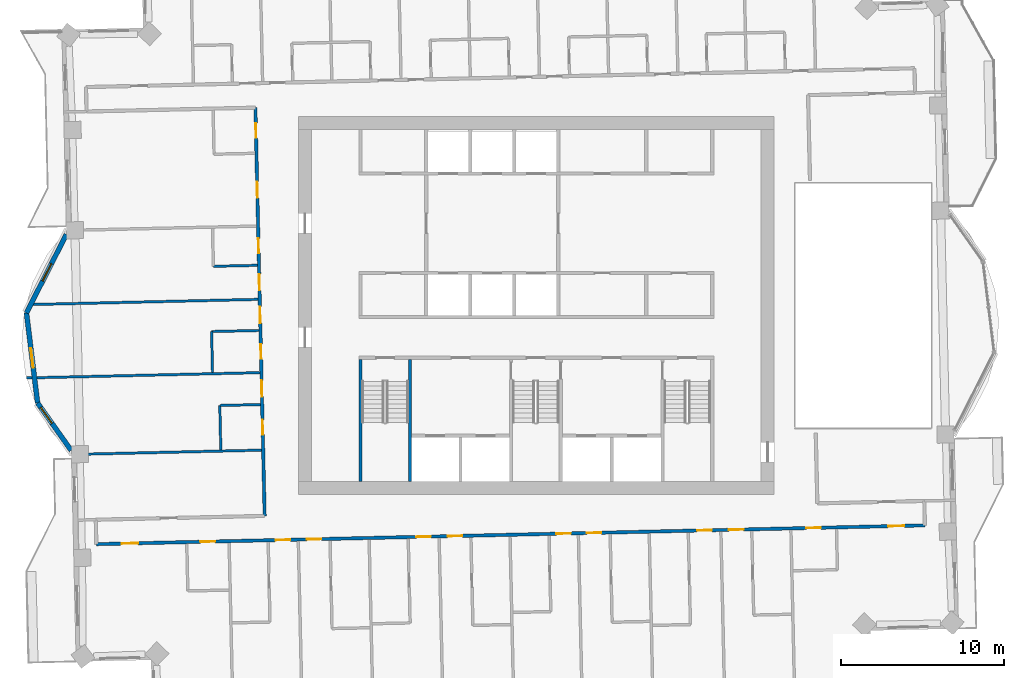
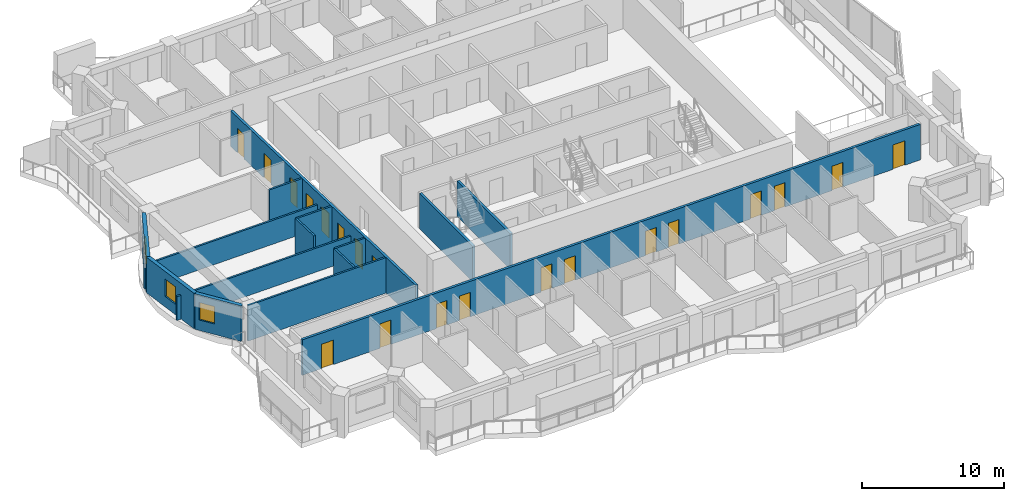
# One storey, part 7 of 17: 20 doors, 15 walls, 3 windows, 23 openings.
"""IFC4 building model written with IfcOpenShell, lengths in metres."""

from ifc_helpers import new_model, si_unit, direction, frame, frame_2d, origin, place, context, subcontext, project, spatial, rectangle, extrude, material, layer, layer_set, type_object, element, fill, save


model = new_model("IFC4")

# Units and contexts
model_context = context("Model", 3, precision=1e-05, world=origin(), true_north=direction((0.0, 1.0)))
body_context = subcontext(model_context, "Body", "Model", "MODEL_VIEW")
ifc_project = project(units=[si_unit("LENGTHUNIT", "METRE"), si_unit("AREAUNIT", "SQUARE_METRE"), si_unit("VOLUMEUNIT", "CUBIC_METRE"), si_unit("PLANEANGLEUNIT", "RADIAN"), si_unit("MASSUNIT", "GRAM", prefix="KILO")], contexts=[model_context])

# Site, building, storey
site_placement = place(None, origin())
site = spatial("IfcSite", under=ifc_project, at=site_placement, CompositionType="ELEMENT")
building_placement = place(site_placement, origin())
building = spatial("IfcBuilding", under=site, at=building_placement, Name="Mangrove Gate Tower", CompositionType="ELEMENT")
storey_placement = place(building_placement, frame((0.0, 0.0, 245.5)))
storey = spatial("IfcBuildingStorey", under=building, at=storey_placement, Name="L62", CompositionType="ELEMENT", Elevation=245.5)

# Walls
ifc_material_1 = material(Name="Concrete C60/75", Category="concrete")
ifc_layer_1 = layer(ifc_material_1, 0.199951171875)
ifc_layer_set_1 = layer_set([ifc_layer_1], Name="Core stair wall 200 C60/75")
wall_type_1 = type_object("IfcWallType", Name="Core stair wall 200 C60/75", PredefinedType="SHEAR", material=ifc_layer_set_1)
for number, where, z_axis, x_axis, name in (
    (1, (-10.800048828125, -10.800048828125, 0.0), (0.0, 0.0, 1.0), (0.0, 1.0, 0.0), "WALL-L62-CORE-9"),
    (2, (-7.75, -10.800048828125, 0.0), (0.0, 0.0, 1.0), (0.0, 1.0, 0.0), "WALL-L62-CORE-10"),
):
    element("IfcWall", number, at=place(storey_placement, frame(where, z_axis=z_axis, x_axis=x_axis)), inside=storey, type_object=wall_type_1, Name=name, PredefinedType="SHEAR", context=body_context, shape_type="SweptSolid", body=[
        extrude(rectangle(XDim=7.5, YDim=0.199951171875, at=frame_2d((3.75, 0.0))), origin(), (0.0, 0.0, 1.0), 3.050048828125),
    ])

# Wall, openings, doors
ifc_material_2 = material(Name="Gypsum board on steel stud, EI 60", Category="steel")
ifc_layer_2 = layer(ifc_material_2, 0.199951171875)
ifc_layer_set_2 = layer_set([ifc_layer_2], Name="Corridor wall EI 60")
wall_type_2 = type_object("IfcWallType", Name="Corridor wall EI 60", PredefinedType="PARTITIONING", material=ifc_layer_set_2)
wall_1_placement = place(storey_placement, frame((-27.01611328125, -14.64990234375, 0.0), z_axis=(0.0, 0.0, 1.0), x_axis=(0.999742874861, 0.022675629315, 0.0)))
wall_1 = element("IfcWall", 3, at=wall_1_placement, inside=storey, type_object=wall_type_2, Name="WALL-L62-032", PredefinedType="PARTITIONING", context=body_context, shape_type="SweptSolid", body=[
    extrude(rectangle(XDim=50.88330078125, YDim=0.199951171875, at=frame_2d((25.441650390625, 0.0))), origin(), (0.0, 0.0, 1.0), 3.050048828125),
])
opening_1_placement = place(wall_1_placement, frame((1.574951171875, 0.0, 0.0)))
opening_1 = element("IfcOpeningElement", 4, at=opening_1_placement, cuts=wall_1, Name="Opening AD", PredefinedType="OPENING", context=body_context, shape_type="SweptSolid", body=[
    extrude(rectangle(XDim=1.0, YDim=2.10009765625, at=frame_2d((0.5, 1.050048828125))), frame((0.0, 0.10986328125, 0.0), z_axis=(0.0, -1.0, 0.0), x_axis=(1.0, 0.0, 0.0)), (0.0, 0.0, 1.0), 0.219970703125),
])
opening_2_placement = place(wall_1_placement, frame((6.39990234375, 0.0, 0.0)))
opening_2 = element("IfcOpeningElement", 5, at=opening_2_placement, cuts=wall_1, Name="Opening SD", PredefinedType="OPENING", context=body_context, shape_type="SweptSolid", body=[
    extrude(rectangle(XDim=0.89990234375, YDim=2.10009765625, at=frame_2d((0.449951171875, 1.050048828125))), frame((0.0, 0.10986328125, 0.0), z_axis=(0.0, -1.0, 0.0), x_axis=(1.0, 0.0, 0.0)), (0.0, 0.0, 1.0), 0.219970703125),
])
opening_3_placement = place(wall_1_placement, frame((11.02490234375, 0.0, 0.0)))
opening_3 = element("IfcOpeningElement", 6, at=opening_3_placement, cuts=wall_1, Name="Opening BD", PredefinedType="OPENING", context=body_context, shape_type="SweptSolid", body=[
    extrude(rectangle(XDim=0.89990234375, YDim=2.10009765625, at=frame_2d((0.449951171875, 1.050048828125))), frame((0.0, 0.10986328125, 0.0), z_axis=(0.0, -1.0, 0.0), x_axis=(1.0, 0.0, 0.0)), (0.0, 0.0, 1.0), 0.219970703125),
])
opening_4_placement = place(wall_1_placement, frame((12.925048828125, 0.0, 0.0)))
opening_4 = element("IfcOpeningElement", 7, at=opening_4_placement, cuts=wall_1, Name="Opening BD", PredefinedType="OPENING", context=body_context, shape_type="SweptSolid", body=[
    extrude(rectangle(XDim=0.89990234375, YDim=2.10009765625, at=frame_2d((0.449951171875, 1.050048828125))), frame((0.0, 0.10986328125, 0.0), z_axis=(0.0, -1.0, 0.0), x_axis=(1.0, 0.0, 0.0)), (0.0, 0.0, 1.0), 0.219970703125),
])
opening_5_placement = place(wall_1_placement, frame((19.64990234375, 0.0, 0.0)))
opening_5 = element("IfcOpeningElement", 8, at=opening_5_placement, cuts=wall_1, Name="Opening BD", PredefinedType="OPENING", context=body_context, shape_type="SweptSolid", body=[
    extrude(rectangle(XDim=0.89990234375, YDim=2.10009765625, at=frame_2d((0.449951171875, 1.050048828125))), frame((0.0, 0.10986328125, 0.0), z_axis=(0.0, -1.0, 0.0), x_axis=(1.0, 0.0, 0.0)), (0.0, 0.0, 1.0), 0.219970703125),
])
opening_6_placement = place(wall_1_placement, frame((21.574951171875, 0.0, 0.0)))
opening_6 = element("IfcOpeningElement", 9, at=opening_6_placement, cuts=wall_1, Name="Opening BD", PredefinedType="OPENING", context=body_context, shape_type="SweptSolid", body=[
    extrude(rectangle(XDim=0.89990234375, YDim=2.10009765625, at=frame_2d((0.449951171875, 1.050048828125))), frame((0.0, 0.10986328125, 0.0), z_axis=(0.0, -1.0, 0.0), x_axis=(1.0, 0.0, 0.0)), (0.0, 0.0, 1.0), 0.219970703125),
])
opening_7_placement = place(wall_1_placement, frame((28.25, 0.0, 0.0)))
opening_7 = element("IfcOpeningElement", 10, at=opening_7_placement, cuts=wall_1, Name="Opening BD", PredefinedType="OPENING", context=body_context, shape_type="SweptSolid", body=[
    extrude(rectangle(XDim=0.89990234375, YDim=2.10009765625, at=frame_2d((0.449951171875, 1.050048828125))), frame((0.0, 0.10986328125, 0.0), z_axis=(0.0, -1.0, 0.0), x_axis=(1.0, 0.0, 0.0)), (0.0, 0.0, 1.0), 0.219970703125),
])
opening_8_placement = place(wall_1_placement, frame((30.125, 0.0, 0.0)))
opening_8 = element("IfcOpeningElement", 11, at=opening_8_placement, cuts=wall_1, Name="Opening BD", PredefinedType="OPENING", context=body_context, shape_type="SweptSolid", body=[
    extrude(rectangle(XDim=0.89990234375, YDim=2.10009765625, at=frame_2d((0.449951171875, 1.050048828125))), frame((0.0, 0.10986328125, 0.0), z_axis=(0.0, -1.0, 0.0), x_axis=(1.0, 0.0, 0.0)), (0.0, 0.0, 1.0), 0.219970703125),
])
opening_9_placement = place(wall_1_placement, frame((36.89990234375, 0.0, 0.0)))
opening_9 = element("IfcOpeningElement", 12, at=opening_9_placement, cuts=wall_1, Name="Opening BD", PredefinedType="OPENING", context=body_context, shape_type="SweptSolid", body=[
    extrude(rectangle(XDim=0.89990234375, YDim=2.10009765625, at=frame_2d((0.449951171875, 1.050048828125))), frame((0.0, 0.10986328125, 0.0), z_axis=(0.0, -1.0, 0.0), x_axis=(1.0, 0.0, 0.0)), (0.0, 0.0, 1.0), 0.219970703125),
])
opening_10_placement = place(wall_1_placement, frame((38.85009765625, 0.0, 0.0)))
opening_10 = element("IfcOpeningElement", 13, at=opening_10_placement, cuts=wall_1, Name="Opening BD", PredefinedType="OPENING", context=body_context, shape_type="SweptSolid", body=[
    extrude(rectangle(XDim=0.89990234375, YDim=2.10009765625, at=frame_2d((0.449951171875, 1.050048828125))), frame((0.0, 0.10986328125, 0.0), z_axis=(0.0, -1.0, 0.0), x_axis=(1.0, 0.0, 0.0)), (0.0, 0.0, 1.0), 0.219970703125),
])
opening_11_placement = place(wall_1_placement, frame((48.62890625, 0.0, 0.0)))
opening_11 = element("IfcOpeningElement", 14, at=opening_11_placement, cuts=wall_1, Name="Opening AD", PredefinedType="OPENING", context=body_context, shape_type="SweptSolid", body=[
    extrude(rectangle(XDim=1.0, YDim=2.10009765625, at=frame_2d((0.5, 1.050048828125))), frame((0.0, 0.10986328125, 0.0), z_axis=(0.0, -1.0, 0.0), x_axis=(1.0, 0.0, 0.0)), (0.0, 0.0, 1.0), 0.219970703125),
])
opening_12_placement = place(wall_1_placement, frame((43.60009765625, 0.0, 0.0)))
opening_12 = element("IfcOpeningElement", 15, at=opening_12_placement, cuts=wall_1, Name="Opening SD", PredefinedType="OPENING", context=body_context, shape_type="SweptSolid", body=[
    extrude(rectangle(XDim=0.89990234375, YDim=2.10009765625, at=frame_2d((0.449951171875, 1.050048828125))), frame((0.0, 0.10986328125, 0.0), z_axis=(0.0, -1.0, 0.0), x_axis=(1.0, 0.0, 0.0)), (0.0, 0.0, 1.0), 0.219970703125),
])
ifc_material_3 = material(Name="Timber door leaf", Category="wood")
door_type_1 = type_object("IfcDoorType", Name="Amenity door 1000", OperationType="SINGLE_SWING_LEFT", PredefinedType="DOOR", material=ifc_material_3)
door_1_placement = place(opening_1_placement, origin())
door_1 = element("IfcDoor", 16, at=door_1_placement, inside=storey, type_object=door_type_1, Name="DOOR-L62-LNG-c1a", OperationType="SINGLE_SWING_LEFT", OverallHeight=2.10009765625, OverallWidth=1.0, PredefinedType="DOOR", context=body_context, shape_type="SweptSolid", body=[
    extrude(rectangle(XDim=1.0, YDim=2.10009765625, at=frame_2d((0.5, 1.050048828125))), frame((0.0, 0.02490234375, 0.0), z_axis=(0.0, -1.0, 0.0), x_axis=(1.0, 0.0, 0.0)), (0.0, 0.0, 1.0), 0.050048828125),
])
fill(opening_1, door_1)
door_2_placement = place(opening_11_placement, origin())
door_2 = element("IfcDoor", 17, at=door_2_placement, inside=storey, type_object=door_type_1, Name="DOOR-L62-KIT-c3a", OperationType="SINGLE_SWING_RIGHT", OverallHeight=2.10009765625, OverallWidth=1.0, PredefinedType="DOOR", context=body_context, shape_type="SweptSolid", body=[
    extrude(rectangle(XDim=1.0, YDim=2.10009765625, at=frame_2d((0.5, 1.050048828125))), frame((0.0, 0.02490234375, 0.0), z_axis=(0.0, -1.0, 0.0), x_axis=(1.0, 0.0, 0.0)), (0.0, 0.0, 1.0), 0.050048828125),
])
fill(opening_11, door_2)
ifc_material_4 = material(Name="Timber door leaf", Category="wood")
door_type_2 = type_object("IfcDoorType", Name="Bedroom door 900", OperationType="SINGLE_SWING_LEFT", PredefinedType="DOOR", material=ifc_material_4)
door_3_placement = place(opening_3_placement, origin())
door_3 = element("IfcDoor", 18, at=door_3_placement, inside=storey, type_object=door_type_2, Name="DOOR-L62-BED-c101", OperationType="SINGLE_SWING_LEFT", OverallHeight=2.10009765625, OverallWidth=0.89990234375, PredefinedType="DOOR", context=body_context, shape_type="SweptSolid", body=[
    extrude(rectangle(XDim=0.89990234375, YDim=2.10009765625, at=frame_2d((0.449951171875, 1.050048828125))), frame((0.0, 0.02490234375, 0.0), z_axis=(0.0, -1.0, 0.0), x_axis=(1.0, 0.0, 0.0)), (0.0, 0.0, 1.0), 0.050048828125),
])
fill(opening_3, door_3)
door_4_placement = place(opening_4_placement, origin())
door_4 = element("IfcDoor", 19, at=door_4_placement, inside=storey, type_object=door_type_2, Name="DOOR-L62-BED-c102", OperationType="SINGLE_SWING_RIGHT", OverallHeight=2.10009765625, OverallWidth=0.89990234375, PredefinedType="DOOR", context=body_context, shape_type="SweptSolid", body=[
    extrude(rectangle(XDim=0.89990234375, YDim=2.10009765625, at=frame_2d((0.449951171875, 1.050048828125))), frame((0.0, 0.02490234375, 0.0), z_axis=(0.0, -1.0, 0.0), x_axis=(1.0, 0.0, 0.0)), (0.0, 0.0, 1.0), 0.050048828125),
])
fill(opening_4, door_4)
door_5_placement = place(opening_5_placement, origin())
door_5 = element("IfcDoor", 20, at=door_5_placement, inside=storey, type_object=door_type_2, Name="DOOR-L62-BED-c103", OperationType="SINGLE_SWING_LEFT", OverallHeight=2.10009765625, OverallWidth=0.89990234375, PredefinedType="DOOR", context=body_context, shape_type="SweptSolid", body=[
    extrude(rectangle(XDim=0.89990234375, YDim=2.10009765625, at=frame_2d((0.449951171875, 1.050048828125))), frame((0.0, 0.02490234375, 0.0), z_axis=(0.0, -1.0, 0.0), x_axis=(1.0, 0.0, 0.0)), (0.0, 0.0, 1.0), 0.050048828125),
])
fill(opening_5, door_5)
door_6_placement = place(opening_6_placement, origin())
door_6 = element("IfcDoor", 21, at=door_6_placement, inside=storey, type_object=door_type_2, Name="DOOR-L62-BED-c104", OperationType="SINGLE_SWING_RIGHT", OverallHeight=2.10009765625, OverallWidth=0.89990234375, PredefinedType="DOOR", context=body_context, shape_type="SweptSolid", body=[
    extrude(rectangle(XDim=0.89990234375, YDim=2.10009765625, at=frame_2d((0.449951171875, 1.050048828125))), frame((0.0, 0.02490234375, 0.0), z_axis=(0.0, -1.0, 0.0), x_axis=(1.0, 0.0, 0.0)), (0.0, 0.0, 1.0), 0.050048828125),
])
fill(opening_6, door_6)
door_7_placement = place(opening_7_placement, origin())
door_7 = element("IfcDoor", 22, at=door_7_placement, inside=storey, type_object=door_type_2, Name="DOOR-L62-BED-c205", OperationType="SINGLE_SWING_LEFT", OverallHeight=2.10009765625, OverallWidth=0.89990234375, PredefinedType="DOOR", context=body_context, shape_type="SweptSolid", body=[
    extrude(rectangle(XDim=0.89990234375, YDim=2.10009765625, at=frame_2d((0.449951171875, 1.050048828125))), frame((0.0, 0.02490234375, 0.0), z_axis=(0.0, -1.0, 0.0), x_axis=(1.0, 0.0, 0.0)), (0.0, 0.0, 1.0), 0.050048828125),
])
fill(opening_7, door_7)
door_8_placement = place(opening_8_placement, origin())
door_8 = element("IfcDoor", 23, at=door_8_placement, inside=storey, type_object=door_type_2, Name="DOOR-L62-BED-c206", OperationType="SINGLE_SWING_RIGHT", OverallHeight=2.10009765625, OverallWidth=0.89990234375, PredefinedType="DOOR", context=body_context, shape_type="SweptSolid", body=[
    extrude(rectangle(XDim=0.89990234375, YDim=2.10009765625, at=frame_2d((0.449951171875, 1.050048828125))), frame((0.0, 0.02490234375, 0.0), z_axis=(0.0, -1.0, 0.0), x_axis=(1.0, 0.0, 0.0)), (0.0, 0.0, 1.0), 0.050048828125),
])
fill(opening_8, door_8)
door_9_placement = place(opening_9_placement, origin())
door_9 = element("IfcDoor", 24, at=door_9_placement, inside=storey, type_object=door_type_2, Name="DOOR-L62-BED-c207", OperationType="SINGLE_SWING_LEFT", OverallHeight=2.10009765625, OverallWidth=0.89990234375, PredefinedType="DOOR", context=body_context, shape_type="SweptSolid", body=[
    extrude(rectangle(XDim=0.89990234375, YDim=2.10009765625, at=frame_2d((0.449951171875, 1.050048828125))), frame((0.0, 0.02490234375, 0.0), z_axis=(0.0, -1.0, 0.0), x_axis=(1.0, 0.0, 0.0)), (0.0, 0.0, 1.0), 0.050048828125),
])
fill(opening_9, door_9)
door_10_placement = place(opening_10_placement, origin())
door_10 = element("IfcDoor", 25, at=door_10_placement, inside=storey, type_object=door_type_2, Name="DOOR-L62-BED-c308", OperationType="SINGLE_SWING_RIGHT", OverallHeight=2.10009765625, OverallWidth=0.89990234375, PredefinedType="DOOR", context=body_context, shape_type="SweptSolid", body=[
    extrude(rectangle(XDim=0.89990234375, YDim=2.10009765625, at=frame_2d((0.449951171875, 1.050048828125))), frame((0.0, 0.02490234375, 0.0), z_axis=(0.0, -1.0, 0.0), x_axis=(1.0, 0.0, 0.0)), (0.0, 0.0, 1.0), 0.050048828125),
])
fill(opening_10, door_10)
ifc_material_5 = material(Name="Timber door leaf", Category="wood")
door_type_3 = type_object("IfcDoorType", Name="Service room door 900", OperationType="SINGLE_SWING_LEFT", PredefinedType="DOOR", material=ifc_material_5)
door_11_placement = place(opening_2_placement, origin())
door_11 = element("IfcDoor", 26, at=door_11_placement, inside=storey, type_object=door_type_3, Name="DOOR-L62-AWC-c1a", OperationType="SINGLE_SWING_LEFT", OverallHeight=2.10009765625, OverallWidth=0.89990234375, PredefinedType="DOOR", context=body_context, shape_type="SweptSolid", body=[
    extrude(rectangle(XDim=0.89990234375, YDim=2.10009765625, at=frame_2d((0.449951171875, 1.050048828125))), frame((0.0, 0.02490234375, 0.0), z_axis=(0.0, -1.0, 0.0), x_axis=(1.0, 0.0, 0.0)), (0.0, 0.0, 1.0), 0.050048828125),
])
fill(opening_2, door_11)
door_12_placement = place(opening_12_placement, origin())
door_12 = element("IfcDoor", 27, at=door_12_placement, inside=storey, type_object=door_type_3, Name="DOOR-L62-LDY-c3a", OperationType="SINGLE_SWING_RIGHT", OverallHeight=2.10009765625, OverallWidth=0.89990234375, PredefinedType="DOOR", context=body_context, shape_type="SweptSolid", body=[
    extrude(rectangle(XDim=0.89990234375, YDim=2.10009765625, at=frame_2d((0.449951171875, 1.050048828125))), frame((0.0, 0.02490234375, 0.0), z_axis=(0.0, -1.0, 0.0), x_axis=(1.0, 0.0, 0.0)), (0.0, 0.0, 1.0), 0.050048828125),
])
fill(opening_12, door_12)

wall_2_placement = place(storey_placement, frame((-16.677978515625, -12.9189453125, 0.0), z_axis=(0.0, 0.0, 1.0), x_axis=(-0.022696191528, 0.999742408268, 0.0)))
wall_2 = element("IfcWall", 28, at=wall_2_placement, inside=storey, type_object=wall_type_2, Name="WALL-L62-033", PredefinedType="PARTITIONING", context=body_context, shape_type="SweptSolid", body=[
    extrude(rectangle(XDim=25.07421875, YDim=0.199951171875, at=frame_2d((12.537109375, 0.0))), origin(), (0.0, 0.0, 1.0), 3.050048828125),
])
opening_13_placement = place(wall_2_placement, frame((19.537109375, 0.0, 0.0)))
opening_13 = element("IfcOpeningElement", 29, at=opening_13_placement, cuts=wall_2, Name="Opening AD", PredefinedType="OPENING", context=body_context, shape_type="SweptSolid", body=[
    extrude(rectangle(XDim=1.0, YDim=2.10009765625, at=frame_2d((0.5, 1.050048828125))), frame((0.0, 0.10986328125, 0.0), z_axis=(0.0, -1.0, 0.0), x_axis=(1.0, 0.0, 0.0)), (0.0, 0.0, 1.0), 0.219970703125),
])
opening_14_placement = place(wall_2_placement, frame((23.22412109375, 0.0, 0.0)))
opening_14 = element("IfcOpeningElement", 30, at=opening_14_placement, cuts=wall_2, Name="Opening SD", PredefinedType="OPENING", context=body_context, shape_type="SweptSolid", body=[
    extrude(rectangle(XDim=0.89990234375, YDim=2.10009765625, at=frame_2d((0.449951171875, 1.050048828125))), frame((0.0, 0.10986328125, 0.0), z_axis=(0.0, -1.0, 0.0), x_axis=(1.0, 0.0, 0.0)), (0.0, 0.0, 1.0), 0.219970703125),
])
opening_15_placement = place(wall_2_placement, frame((13.84912109375, 0.0, 0.0)))
opening_15 = element("IfcOpeningElement", 31, at=opening_15_placement, cuts=wall_2, Name="Opening AD", PredefinedType="OPENING", context=body_context, shape_type="SweptSolid", body=[
    extrude(rectangle(XDim=1.0, YDim=2.10009765625, at=frame_2d((0.5, 1.050048828125))), frame((0.0, 0.10986328125, 0.0), z_axis=(0.0, -1.0, 0.0), x_axis=(1.0, 0.0, 0.0)), (0.0, 0.0, 1.0), 0.219970703125),
])
opening_16_placement = place(wall_2_placement, frame((16.14892578125, 0.0, 0.0)))
opening_16 = element("IfcOpeningElement", 32, at=opening_16_placement, cuts=wall_2, Name="Opening SD", PredefinedType="OPENING", context=body_context, shape_type="SweptSolid", body=[
    extrude(rectangle(XDim=0.89990234375, YDim=2.10009765625, at=frame_2d((0.449951171875, 1.050048828125))), frame((0.0, 0.10986328125, 0.0), z_axis=(0.0, -1.0, 0.0), x_axis=(1.0, 0.0, 0.0)), (0.0, 0.0, 1.0), 0.219970703125),
])
opening_17_placement = place(wall_2_placement, frame((11.84912109375, 0.0, 0.0)))
opening_17 = element("IfcOpeningElement", 33, at=opening_17_placement, cuts=wall_2, Name="Opening AD", PredefinedType="OPENING", context=body_context, shape_type="SweptSolid", body=[
    extrude(rectangle(XDim=1.0, YDim=2.10009765625, at=frame_2d((0.5, 1.050048828125))), frame((0.0, 0.10986328125, 0.0), z_axis=(0.0, -1.0, 0.0), x_axis=(1.0, 0.0, 0.0)), (0.0, 0.0, 1.0), 0.219970703125),
])
opening_18_placement = place(wall_2_placement, frame((9.64892578125, 0.0, 0.0)))
opening_18 = element("IfcOpeningElement", 34, at=opening_18_placement, cuts=wall_2, Name="Opening SD", PredefinedType="OPENING", context=body_context, shape_type="SweptSolid", body=[
    extrude(rectangle(XDim=0.89990234375, YDim=2.10009765625, at=frame_2d((0.449951171875, 1.050048828125))), frame((0.0, 0.10986328125, 0.0), z_axis=(0.0, -1.0, 0.0), x_axis=(1.0, 0.0, 0.0)), (0.0, 0.0, 1.0), 0.219970703125),
])
opening_19_placement = place(wall_2_placement, frame((7.323974609375, 0.0, 0.0)))
opening_19 = element("IfcOpeningElement", 35, at=opening_19_placement, cuts=wall_2, Name="Opening AD", PredefinedType="OPENING", context=body_context, shape_type="SweptSolid", body=[
    extrude(rectangle(XDim=1.0, YDim=2.10009765625, at=frame_2d((0.5, 1.050048828125))), frame((0.0, 0.10986328125, 0.0), z_axis=(0.0, -1.0, 0.0), x_axis=(1.0, 0.0, 0.0)), (0.0, 0.0, 1.0), 0.219970703125),
])
opening_20_placement = place(wall_2_placement, frame((4.9990234375, 0.0, 0.0)))
opening_20 = element("IfcOpeningElement", 36, at=opening_20_placement, cuts=wall_2, Name="Opening SD", PredefinedType="OPENING", context=body_context, shape_type="SweptSolid", body=[
    extrude(rectangle(XDim=0.89990234375, YDim=2.10009765625, at=frame_2d((0.449951171875, 1.050048828125))), frame((0.0, 0.10986328125, 0.0), z_axis=(0.0, -1.0, 0.0), x_axis=(1.0, 0.0, 0.0)), (0.0, 0.0, 1.0), 0.219970703125),
])
door_13_placement = place(opening_13_placement, origin())
door_13 = element("IfcDoor", 37, at=door_13_placement, inside=storey, type_object=door_type_1, Name="DOOR-L62-LNG-c5a", OperationType="SINGLE_SWING_LEFT", OverallHeight=2.10009765625, OverallWidth=1.0, PredefinedType="DOOR", context=body_context, shape_type="SweptSolid", body=[
    extrude(rectangle(XDim=1.0, YDim=2.10009765625, at=frame_2d((0.5, 1.050048828125))), frame((0.0, 0.02490234375, 0.0), z_axis=(0.0, -1.0, 0.0), x_axis=(1.0, 0.0, 0.0)), (0.0, 0.0, 1.0), 0.050048828125),
])
fill(opening_13, door_13)
door_14_placement = place(opening_15_placement, origin())
door_14 = element("IfcDoor", 38, at=door_14_placement, inside=storey, type_object=door_type_1, Name="DOOR-L62-KIT-c5a", OperationType="SINGLE_SWING_RIGHT", OverallHeight=2.10009765625, OverallWidth=1.0, PredefinedType="DOOR", context=body_context, shape_type="SweptSolid", body=[
    extrude(rectangle(XDim=1.0, YDim=2.10009765625, at=frame_2d((0.5, 1.050048828125))), frame((0.0, 0.02490234375, 0.0), z_axis=(0.0, -1.0, 0.0), x_axis=(1.0, 0.0, 0.0)), (0.0, 0.0, 1.0), 0.050048828125),
])
fill(opening_15, door_14)
door_15_placement = place(opening_17_placement, origin())
door_15 = element("IfcDoor", 39, at=door_15_placement, inside=storey, type_object=door_type_1, Name="DOOR-L62-KIT-c5b", OperationType="SINGLE_SWING_LEFT", OverallHeight=2.10009765625, OverallWidth=1.0, PredefinedType="DOOR", context=body_context, shape_type="SweptSolid", body=[
    extrude(rectangle(XDim=1.0, YDim=2.10009765625, at=frame_2d((0.5, 1.050048828125))), frame((0.0, 0.02490234375, 0.0), z_axis=(0.0, -1.0, 0.0), x_axis=(1.0, 0.0, 0.0)), (0.0, 0.0, 1.0), 0.050048828125),
])
fill(opening_17, door_15)
door_16_placement = place(opening_19_placement, origin())
door_16 = element("IfcDoor", 40, at=door_16_placement, inside=storey, type_object=door_type_1, Name="DOOR-L62-KIT-c5c", OperationType="SINGLE_SWING_RIGHT", OverallHeight=2.10009765625, OverallWidth=1.0, PredefinedType="DOOR", context=body_context, shape_type="SweptSolid", body=[
    extrude(rectangle(XDim=1.0, YDim=2.10009765625, at=frame_2d((0.5, 1.050048828125))), frame((0.0, 0.02490234375, 0.0), z_axis=(0.0, -1.0, 0.0), x_axis=(1.0, 0.0, 0.0)), (0.0, 0.0, 1.0), 0.050048828125),
])
fill(opening_19, door_16)
door_17_placement = place(opening_14_placement, origin())
door_17 = element("IfcDoor", 41, at=door_17_placement, inside=storey, type_object=door_type_3, Name="DOOR-L62-LDY-c5a", OperationType="SINGLE_SWING_LEFT", OverallHeight=2.10009765625, OverallWidth=0.89990234375, PredefinedType="DOOR", context=body_context, shape_type="SweptSolid", body=[
    extrude(rectangle(XDim=0.89990234375, YDim=2.10009765625, at=frame_2d((0.449951171875, 1.050048828125))), frame((0.0, 0.02490234375, 0.0), z_axis=(0.0, -1.0, 0.0), x_axis=(1.0, 0.0, 0.0)), (0.0, 0.0, 1.0), 0.050048828125),
])
fill(opening_14, door_17)
door_18_placement = place(opening_16_placement, origin())
door_18 = element("IfcDoor", 42, at=door_18_placement, inside=storey, type_object=door_type_3, Name="DOOR-L62-WC-c5a", OperationType="SINGLE_SWING_RIGHT", OverallHeight=2.10009765625, OverallWidth=0.89990234375, PredefinedType="DOOR", context=body_context, shape_type="SweptSolid", body=[
    extrude(rectangle(XDim=0.89990234375, YDim=2.10009765625, at=frame_2d((0.449951171875, 1.050048828125))), frame((0.0, 0.02490234375, 0.0), z_axis=(0.0, -1.0, 0.0), x_axis=(1.0, 0.0, 0.0)), (0.0, 0.0, 1.0), 0.050048828125),
])
fill(opening_16, door_18)
door_19_placement = place(opening_18_placement, origin())
door_19 = element("IfcDoor", 43, at=door_19_placement, inside=storey, type_object=door_type_3, Name="DOOR-L62-AWC-c5a", OperationType="SINGLE_SWING_LEFT", OverallHeight=2.10009765625, OverallWidth=0.89990234375, PredefinedType="DOOR", context=body_context, shape_type="SweptSolid", body=[
    extrude(rectangle(XDim=0.89990234375, YDim=2.10009765625, at=frame_2d((0.449951171875, 1.050048828125))), frame((0.0, 0.02490234375, 0.0), z_axis=(0.0, -1.0, 0.0), x_axis=(1.0, 0.0, 0.0)), (0.0, 0.0, 1.0), 0.050048828125),
])
fill(opening_18, door_19)
door_20_placement = place(opening_20_placement, origin())
door_20 = element("IfcDoor", 44, at=door_20_placement, inside=storey, type_object=door_type_3, Name="DOOR-L62-LDY-c5b", OperationType="SINGLE_SWING_RIGHT", OverallHeight=2.10009765625, OverallWidth=0.89990234375, PredefinedType="DOOR", context=body_context, shape_type="SweptSolid", body=[
    extrude(rectangle(XDim=0.89990234375, YDim=2.10009765625, at=frame_2d((0.449951171875, 1.050048828125))), frame((0.0, 0.02490234375, 0.0), z_axis=(0.0, -1.0, 0.0), x_axis=(1.0, 0.0, 0.0)), (0.0, 0.0, 1.0), 0.050048828125),
])
fill(opening_20, door_20)

# Wall, opening, window
ifc_material_6 = material(Name="Limestone", Category="masonry")
ifc_layer_3 = layer(ifc_material_6, 0.0400390625, Name="Limestone cladding")
ifc_material_7 = material(Name="Ventilated air gap")
ifc_layer_4 = layer(ifc_material_7, 0.0400390625, Name="Ventilated cavity")
ifc_material_8 = material(Name="Mineral wool insulation")
ifc_layer_5 = layer(ifc_material_8, 0.06005859375, Name="Insulation")
ifc_material_9 = material(Name="Breather membrane")
ifc_layer_6 = layer(ifc_material_9, 0.001953125, Name="Breather membrane")
ifc_material_10 = material(Name="Concrete C20/25 blockwork", Category="masonry")
ifc_layer_7 = layer(ifc_material_10, 0.14990234375, Name="Blockwork backing wall")
ifc_material_11 = material(Name="Gypsum plaster")
ifc_layer_8 = layer(ifc_material_11, 0.008056640625, Name="Internal plaster")
ifc_layer_set_3 = layer_set([ifc_layer_3, ifc_layer_4, ifc_layer_5, ifc_layer_6, ifc_layer_7, ifc_layer_8], Name="External wall 300 limestone cladding")
wall_type_3 = type_object("IfcWallType", Name="External wall 300 limestone cladding", PredefinedType="SOLIDWALL", material=ifc_layer_set_3)
wall_3_placement = place(storey_placement, frame((-28.85693359375, 4.363037109375, 0.0), z_axis=(0.0, 0.0, 1.0), x_axis=(-0.45277700056, -0.891623792731, 0.0)))
wall_3 = element("IfcWall", 45, at=wall_3_placement, inside=storey, type_object=wall_type_3, Name="WALL-L62-W9f1", PredefinedType="SOLIDWALL", context=body_context, shape_type="SweptSolid", body=[
    extrude(rectangle(XDim=5.39794921875, YDim=0.300048828125, at=frame_2d((2.698974609375, 0.0))), origin(), (0.0, 0.0, 1.0), 3.050048828125),
])
opening_21_placement = place(wall_3_placement, frame((2.008056640625, 0.0, 0.89990234375)))
opening_21 = element("IfcOpeningElement", 46, at=opening_21_placement, cuts=wall_3, Name="Opening W1", PredefinedType="OPENING", context=body_context, shape_type="SweptSolid", body=[
    extrude(rectangle(XDim=1.199951171875, YDim=1.5, at=frame_2d((0.60009765625, 0.75))), frame((0.0, 0.159912109375, 0.0), z_axis=(0.0, -1.0, 0.0), x_axis=(1.0, 0.0, 0.0)), (0.0, 0.0, 1.0), 0.320068359375),
])
ifc_material_12 = material(Name="Aluminium frame with double-glazed low-e glass", Category="aluminium")
window_type = type_object("IfcWindowType", Name="Side lite 1200x1500", PartitioningType="SINGLE_PANEL", PredefinedType="WINDOW", material=ifc_material_12)
window_1_placement = place(opening_21_placement, origin())
window_1 = element("IfcWindow", 47, at=window_1_placement, inside=storey, type_object=window_type, Name="WIN-L62-W9f1", OverallHeight=1.5, OverallWidth=1.199951171875, PartitioningType="SINGLE_PANEL", PredefinedType="WINDOW", context=body_context, shape_type="SweptSolid", body=[
    extrude(rectangle(XDim=1.199951171875, YDim=1.5, at=frame_2d((0.60009765625, 0.75))), frame((0.0, 0.030029296875, 0.0), z_axis=(0.0, -1.0, 0.0), x_axis=(1.0, 0.0, 0.0)), (0.0, 0.0, 1.0), 0.06005859375),
])
fill(opening_21, window_1)

wall_4_placement = place(storey_placement, frame((-31.301025390625, -0.449951171875, 0.0), z_axis=(0.0, 0.0, 1.0), x_axis=(0.122163831021, -0.992509948761, 0.0)))
wall_4 = element("IfcWall", 48, at=wall_4_placement, inside=storey, type_object=wall_type_3, Name="WALL-L62-W9f2", PredefinedType="SOLIDWALL", context=body_context, shape_type="SweptSolid", body=[
    extrude(rectangle(XDim=5.57373046875, YDim=0.300048828125, at=frame_2d((2.786865234375, 0.0))), origin(), (0.0, 0.0, 1.0), 3.050048828125),
])
opening_22_placement = place(wall_4_placement, frame((2.18701171875, 0.0, 0.89990234375)))
opening_22 = element("IfcOpeningElement", 49, at=opening_22_placement, cuts=wall_4, Name="Opening W1", PredefinedType="OPENING", context=body_context, shape_type="SweptSolid", body=[
    extrude(rectangle(XDim=1.199951171875, YDim=1.5, at=frame_2d((0.60009765625, 0.75))), frame((0.0, 0.159912109375, 0.0), z_axis=(0.0, -1.0, 0.0), x_axis=(1.0, 0.0, 0.0)), (0.0, 0.0, 1.0), 0.320068359375),
])
window_2_placement = place(opening_22_placement, origin())
window_2 = element("IfcWindow", 50, at=window_2_placement, inside=storey, type_object=window_type, Name="WIN-L62-W9f2", OverallHeight=1.5, OverallWidth=1.199951171875, PartitioningType="SINGLE_PANEL", PredefinedType="WINDOW", context=body_context, shape_type="SweptSolid", body=[
    extrude(rectangle(XDim=1.199951171875, YDim=1.5, at=frame_2d((0.60009765625, 0.75))), frame((0.0, 0.030029296875, 0.0), z_axis=(0.0, -1.0, 0.0), x_axis=(1.0, 0.0, 0.0)), (0.0, 0.0, 1.0), 0.06005859375),
])
fill(opening_22, window_2)

wall_5_placement = place(storey_placement, frame((-30.6201171875, -5.98193359375, 0.0), z_axis=(0.0, 0.0, 1.0), x_axis=(0.578108441206, -0.815959943996, 0.0)))
wall_5 = element("IfcWall", 51, at=wall_5_placement, inside=storey, type_object=wall_type_3, Name="WALL-L62-W9f3", PredefinedType="SOLIDWALL", context=body_context, shape_type="SweptSolid", body=[
    extrude(rectangle(XDim=3.56884765625, YDim=0.300048828125, at=frame_2d((1.784423828125, 0.0))), origin(), (0.0, 0.0, 1.0), 3.050048828125),
])
opening_23_placement = place(wall_5_placement, frame((0.337890625, 0.0, 0.89990234375)))
opening_23 = element("IfcOpeningElement", 52, at=opening_23_placement, cuts=wall_5, Name="Opening W1", PredefinedType="OPENING", context=body_context, shape_type="SweptSolid", body=[
    extrude(rectangle(XDim=1.199951171875, YDim=1.5, at=frame_2d((0.60009765625, 0.75))), frame((0.0, 0.159912109375, 0.0), z_axis=(0.0, -1.0, 0.0), x_axis=(1.0, 0.0, 0.0)), (0.0, 0.0, 1.0), 0.320068359375),
])
window_3_placement = place(opening_23_placement, origin())
window_3 = element("IfcWindow", 53, at=window_3_placement, inside=storey, type_object=window_type, Name="WIN-L62-W9f3", OverallHeight=1.5, OverallWidth=1.199951171875, PartitioningType="SINGLE_PANEL", PredefinedType="WINDOW", context=body_context, shape_type="SweptSolid", body=[
    extrude(rectangle(XDim=1.199951171875, YDim=1.5, at=frame_2d((0.60009765625, 0.75))), frame((0.0, 0.030029296875, 0.0), z_axis=(0.0, -1.0, 0.0), x_axis=(1.0, 0.0, 0.0)), (0.0, 0.0, 1.0), 0.06005859375),
])
fill(opening_23, window_3)

# Walls
ifc_material_13 = material(Name="Gypsum board on steel stud, EI 60", Category="steel")
ifc_layer_9 = layer(ifc_material_13, 0.14990234375)
ifc_layer_set_4 = layer_set([ifc_layer_9], Name="Party wall 150 EI 60")
wall_type_4 = type_object("IfcWallType", Name="Party wall 150 EI 60", PredefinedType="PARTITIONING", material=ifc_layer_set_4)
wall_6_placement = place(storey_placement, frame((-28.240966796875, -9.135986328125, 0.0), z_axis=(0.0, 0.0, 1.0), x_axis=(0.999742533279, 0.022690684282, 0.0)))
element("IfcWall", 54, at=wall_6_placement, inside=storey, type_object=wall_type_4, Name="WALL-L62-039", PredefinedType="PARTITIONING", context=body_context, shape_type="SweptSolid", body=[
    extrude(rectangle(XDim=11.372802734375, YDim=0.14990234375, at=frame_2d((5.6865234375, 0.0))), origin(), (0.0, 0.0, 1.0), 3.050048828125),
])
wall_7_placement = place(storey_placement, frame((-19.37109375, -8.85498046875, 0.0), z_axis=(0.0, 0.0, 1.0), x_axis=(-0.022760079124, 0.999740955847, 0.0)))
element("IfcWall", 55, at=wall_7_placement, inside=storey, type_object=wall_type_4, Name="WALL-L62-040", PredefinedType="PARTITIONING", context=body_context, shape_type="SweptSolid", body=[
    extrude(rectangle(XDim=2.724609375, YDim=0.14990234375, at=frame_2d((1.3623046875, 0.0))), origin(), (0.0, 0.0, 1.0), 3.050048828125),
])
wall_8_placement = place(storey_placement, frame((-19.43408203125, -6.135986328125, 0.0), z_axis=(0.0, 0.0, 1.0), x_axis=(0.999741230352, 0.02274801823, 0.0)))
element("IfcWall", 56, at=wall_8_placement, inside=storey, type_object=wall_type_4, Name="WALL-L62-041", PredefinedType="PARTITIONING", context=body_context, shape_type="SweptSolid", body=[
    extrude(rectangle(XDim=2.500732421875, YDim=0.14990234375, at=frame_2d((1.25048828125, 0.0))), origin(), (0.0, 0.0, 1.0), 3.050048828125),
])
wall_9_placement = place(storey_placement, frame((-19.87890625, -4.114990234375, 0.0), z_axis=(0.0, 0.0, 1.0), x_axis=(-0.022629142889, 0.99974392816, 0.0)))
element("IfcWall", 57, at=wall_9_placement, inside=storey, type_object=wall_type_4, Name="WALL-L62-042", PredefinedType="PARTITIONING", context=body_context, shape_type="SweptSolid", body=[
    extrude(rectangle(XDim=2.524658203125, YDim=0.14990234375, at=frame_2d((1.26220703125, 0.0))), origin(), (0.0, 0.0, 1.0), 3.050048828125),
])
wall_10_placement = place(storey_placement, frame((-31.2890625, -4.444091796875, 0.0), z_axis=(0.0, 0.0, 1.0), x_axis=(0.99974382177, 0.022633842623, 0.0)))
element("IfcWall", 58, at=wall_10_placement, inside=storey, type_object=wall_type_4, Name="WALL-L62-043", PredefinedType="PARTITIONING", context=body_context, shape_type="SweptSolid", body=[
    extrude(rectangle(XDim=14.313720703125, YDim=0.14990234375, at=frame_2d((7.15673828125, 0.0))), origin(), (0.0, 0.0, 1.0), 2.050048828125),
])
wall_11_placement = place(storey_placement, frame((-19.93701171875, -1.595947265625, 0.0), z_axis=(0.0, 0.0, 1.0), x_axis=(0.999741574676, 0.022732880677, 0.0)))
element("IfcWall", 59, at=wall_11_placement, inside=storey, type_object=wall_type_4, Name="WALL-L62-044", PredefinedType="PARTITIONING", context=body_context, shape_type="SweptSolid", body=[
    extrude(rectangle(XDim=2.899658203125, YDim=0.14990234375, at=frame_2d((1.44970703125, 0.0))), origin(), (0.0, 0.0, 1.0), 3.050048828125),
])
wall_12_placement = place(storey_placement, frame((-31.31298828125, 0.055908203125, 0.0), z_axis=(0.0, 0.0, 1.0), x_axis=(0.999742561055, 0.022689460464, 0.0)))
element("IfcWall", 60, at=wall_12_placement, inside=storey, type_object=wall_type_4, Name="WALL-L62-045", PredefinedType="PARTITIONING", context=body_context, shape_type="SweptSolid", body=[
    extrude(rectangle(XDim=14.235595703125, YDim=0.14990234375, at=frame_2d((7.11767578125, 0.0))), origin(), (0.0, 0.0, 1.0), 2.050048828125),
])
wall_13_placement = place(storey_placement, frame((-19.827880859375, 2.407958984375, 0.0), z_axis=(0.0, 0.0, 1.0), x_axis=(0.99974458177, 0.022600248254, 0.0)))
element("IfcWall", 61, at=wall_13_placement, inside=storey, type_object=wall_type_4, Name="WALL-L62-046", PredefinedType="PARTITIONING", context=body_context, shape_type="SweptSolid", body=[
    extrude(rectangle(XDim=2.70068359375, YDim=0.14990234375, at=frame_2d((1.350341796875, 0.0))), origin(), (0.0, 0.0, 1.0), 3.050048828125),
])

save(model, "model.ifc")
